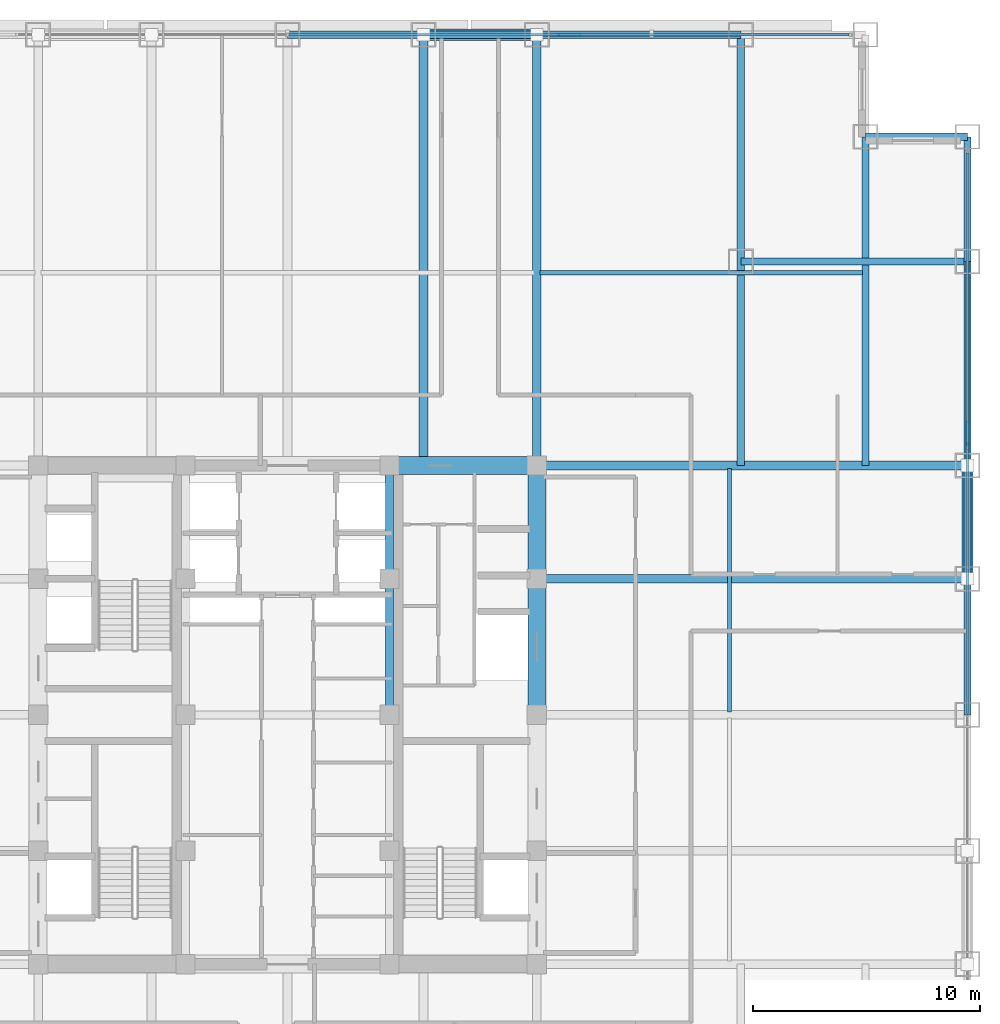
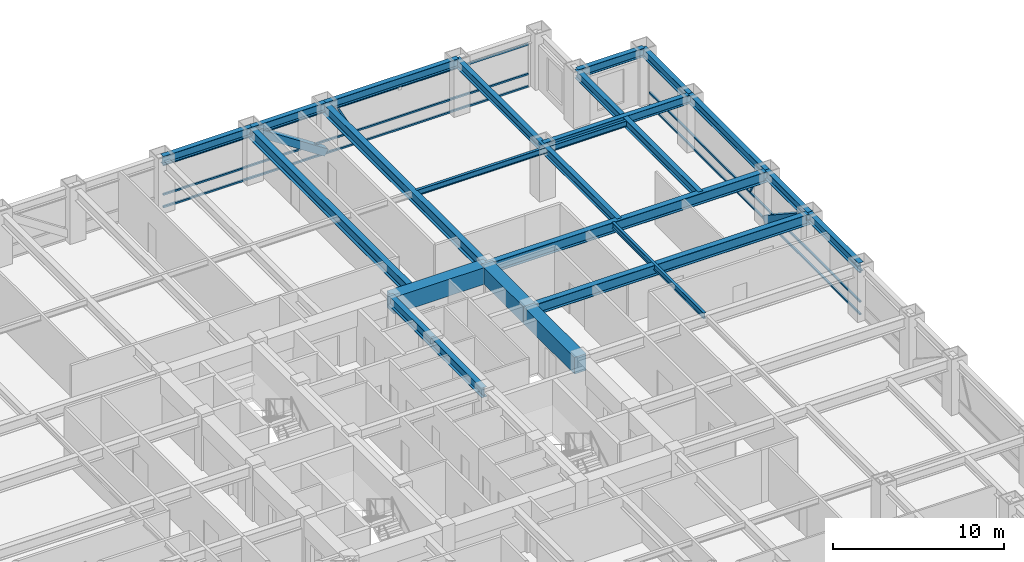
# One storey, part 17 of 28: 22 beams, 10 members, 2 elements without a shape of their own.
"""IFC4 building model written with IfcOpenShell, lengths in metres."""

from ifc_helpers import new_model, si_unit, direction, frame, origin, origin_2d, place, context, subcontext, project, spatial, rectangle, hollow_rectangle, i_section, extrude, source, transform, mapped, material, material_profile, profile_set, type_object, element, aggregate, save


model = new_model("IFC4")

# Units and contexts
model_context = context("Model", 3, precision=1e-05, world=origin(), true_north=direction((0.0, 1.0)))
body_context = subcontext(model_context, "Body", "Model", "MODEL_VIEW")
ifc_project = project(units=[si_unit("LENGTHUNIT", "METRE"), si_unit("AREAUNIT", "SQUARE_METRE"), si_unit("VOLUMEUNIT", "CUBIC_METRE"), si_unit("PLANEANGLEUNIT", "RADIAN"), si_unit("MASSUNIT", "GRAM", prefix="KILO")], contexts=[model_context])

# Site, building, storey
site_placement = place(None, origin())
site = spatial("IfcSite", under=ifc_project, at=site_placement, CompositionType="ELEMENT")
building_placement = place(site_placement, origin())
building = spatial("IfcBuilding", under=site, at=building_placement, Name="Khorayat Bourse Tower", CompositionType="ELEMENT")
storey_placement = place(building_placement, frame((0.0, 0.0, 187.10009765625)))
storey = spatial("IfcBuildingStorey", under=building, at=storey_placement, Name="L43", CompositionType="ELEMENT", Elevation=187.10009765625)

# Beams
ifc_material_1 = material(Name="Concrete C72/90", Category="concrete")
ifc_material_profile_1 = material_profile(ifc_material_1, rectangle(XDim=0.800048828125, YDim=1.199951171875, at=origin_2d()), Name="RC 800x1200")
ifc_profile_set_1 = profile_set([ifc_material_profile_1], Name="Concrete C72/90")
beam_type_1 = type_object("IfcBeamType", Name="BM-COUP-1200", PredefinedType="BEAM", material=ifc_profile_set_1)
shared_shape_1 = source(origin(), body_context, "Body", "SweptSolid", [
    extrude(rectangle(XDim=0.800048828125, YDim=1.199951171875, at=origin_2d()), origin(), (0.0, 0.0, 1.0), 5.0),
])
beam_1_placement = place(storey_placement, frame((11.0, 6.0, 3.179931640625), z_axis=(0.0, 1.0, 0.0), x_axis=(-1.0, 0.0, 0.0)))
element("IfcBeam", 1, at=beam_1_placement, inside=storey, type_object=beam_type_1, Name="L43 BM-COUP-1200 BM-L43-CRX-16", PredefinedType="BEAM", context=body_context, shape_type="MappedRepresentation", body=[
    mapped(shared_shape_1, transform((0.0, 0.0, 0.0), scale=1.0)),
])
shared_shape_2 = source(origin(), body_context, "Body", "SweptSolid", [
    extrude(rectangle(XDim=0.800048828125, YDim=1.199951171875, at=origin_2d()), origin(), (0.0, 0.0, 1.0), 6.0),
])
beam_2_placement = place(storey_placement, frame((11.0, 0.0, 3.179931640625), z_axis=(0.0, 1.0, 0.0), x_axis=(-1.0, 0.0, 0.0)))
element("IfcBeam", 2, at=beam_2_placement, inside=storey, type_object=beam_type_1, Name="L43 BM-COUP-1200 BM-L43-CRX-15", PredefinedType="BEAM", context=body_context, shape_type="MappedRepresentation", body=[
    mapped(shared_shape_2, transform((0.0, 0.0, 0.0), scale=1.0)),
])
ifc_material_2 = material(Name="Steel ASTM A992 Grade 50", Category="steel")
ifc_material_profile_2 = material_profile(ifc_material_2, i_section(OverallWidth=0.35498046875, OverallDepth=0.695068359375, WebThickness=0.015380859375, FlangeThickness=0.02490234375, FilletRadius=0.01806640625, at=origin_2d()), Name="W690X217")
ifc_profile_set_2 = profile_set([ifc_material_profile_2], Name="Steel ASTM A992 Grade 50")
beam_type_2 = type_object("IfcBeamType", Name="BM-GIRD-690", PredefinedType="BEAM", material=ifc_profile_set_2)
shared_shape_3 = source(origin(), body_context, "Body", "SweptSolid", [
    extrude(i_section(OverallWidth=0.35498046875, OverallDepth=0.695068359375, WebThickness=0.015380859375, FlangeThickness=0.02490234375, FilletRadius=0.01806640625, at=origin_2d()), origin(), (0.0, 0.0, 1.0), 5.0),
])
beam_3_placement = place(storey_placement, frame((4.5, 6.0, 3.432373046875), z_axis=(0.0, 1.0, 0.0), x_axis=(-1.0, 0.0, 0.0)))
element("IfcBeam", 3, at=beam_3_placement, inside=storey, type_object=beam_type_2, Name="L43 BM-GIRD-690 BM-L43-CRX-12", PredefinedType="BEAM", context=body_context, shape_type="MappedRepresentation", body=[
    mapped(shared_shape_3, transform((0.0, 0.0, 0.0), scale=1.0)),
])
shared_shape_4 = source(origin(), body_context, "Body", "SweptSolid", [
    extrude(i_section(OverallWidth=0.35498046875, OverallDepth=0.695068359375, WebThickness=0.015380859375, FlangeThickness=0.02490234375, FilletRadius=0.01806640625, at=origin_2d()), origin(), (0.0, 0.0, 1.0), 6.0),
])
beam_4_placement = place(storey_placement, frame((4.5, 0.0, 3.432373046875), z_axis=(0.0, 1.0, 0.0), x_axis=(-1.0, 0.0, 0.0)))
element("IfcBeam", 4, at=beam_4_placement, inside=storey, type_object=beam_type_2, Name="L43 BM-GIRD-690 BM-L43-CRX-11", PredefinedType="BEAM", context=body_context, shape_type="MappedRepresentation", body=[
    mapped(shared_shape_4, transform((0.0, 0.0, 0.0), scale=1.0)),
])
shared_shape_5 = source(origin(), body_context, "Body", "SweptSolid", [
    extrude(rectangle(XDim=0.800048828125, YDim=1.199951171875, at=origin_2d()), origin(), (0.0, 0.0, 1.0), 6.5),
])
beam_5_placement = place(storey_placement, frame((4.5, 11.0, 3.179931640625), z_axis=(1.0, 0.0, 0.0), x_axis=(0.0, 1.0, 0.0)))
element("IfcBeam", 5, at=beam_5_placement, inside=storey, type_object=beam_type_1, Name="L43 BM-COUP-1200 BM-L43-CRY-22", PredefinedType="BEAM", context=body_context, shape_type="MappedRepresentation", body=[
    mapped(shared_shape_5, transform((0.0, 0.0, 0.0), scale=1.0)),
])
ifc_material_profile_3 = material_profile(ifc_material_2, i_section(OverallWidth=0.381103515625, OverallDepth=0.77294921875, WebThickness=0.0166015625, FlangeThickness=0.027587890625, FilletRadius=0.01806640625, at=origin_2d()), Name="W760X257")
ifc_profile_set_3 = profile_set([ifc_material_profile_3], Name="Steel ASTM A992 Grade 50")
beam_type_3 = type_object("IfcBeamType", Name="BM-GIRD-760", PredefinedType="BEAM", material=ifc_profile_set_3)
shared_shape_6 = source(origin(), body_context, "Body", "SweptSolid", [
    extrude(i_section(OverallWidth=0.381103515625, OverallDepth=0.77294921875, WebThickness=0.0166015625, FlangeThickness=0.027587890625, FilletRadius=0.01806640625, at=origin_2d()), origin(), (0.0, 0.0, 1.0), 19.0),
])
for number, where, z_axis, x_axis, name in (
    (6, (6.0, 11.0, 3.393310546875), (0.0, 1.0, 0.0), (-1.0, 0.0, 0.0), "L43 BM-GIRD-760 BM-L43-RADY-070"),
    (7, (11.0, 11.0, 3.393310546875), (0.0, 1.0, 0.0), (-1.0, 0.0, 0.0), "L43 BM-GIRD-760 BM-L43-RADY-072"),
    (8, (11.0, 6.0, 3.393310546875), (1.0, 0.0, 0.0), (0.0, 1.0, 0.0), "L43 BM-GIRD-760 BM-L43-RADX-080"),
    (9, (11.0, 11.0, 3.393310546875), (1.0, 0.0, 0.0), (0.0, 1.0, 0.0), "L43 BM-GIRD-760 BM-L43-RADX-082"),
):
    element("IfcBeam", number, at=place(storey_placement, frame(where, z_axis=z_axis, x_axis=x_axis)), inside=storey, type_object=beam_type_3, Name=name, PredefinedType="BEAM", context=body_context, shape_type="MappedRepresentation", body=[
        mapped(shared_shape_6, transform((0.0, 0.0, 0.0), scale=1.0)),
    ])
ifc_material_profile_4 = material_profile(ifc_material_2, i_section(OverallWidth=0.324951171875, OverallDepth=0.615966796875, WebThickness=0.013916015625, FlangeThickness=0.021484375, FilletRadius=0.01611328125, at=origin_2d()), Name="W610X174")
ifc_profile_set_4 = profile_set([ifc_material_profile_4], Name="Steel ASTM A992 Grade 50")
beam_type_4 = type_object("IfcBeamType", Name="BM-GIRD-610", PredefinedType="BEAM", material=ifc_profile_set_4)
shared_shape_7 = source(origin(), body_context, "Body", "SweptSolid", [
    extrude(i_section(OverallWidth=0.324951171875, OverallDepth=0.615966796875, WebThickness=0.013916015625, FlangeThickness=0.021484375, FilletRadius=0.01611328125, at=origin_2d()), origin(), (0.0, 0.0, 1.0), 19.0),
])
beam_6_placement = place(storey_placement, frame((20.0, 11.0, 3.471923828125), z_axis=(0.0, 1.0, 0.0), x_axis=(-1.0, 0.0, 0.0)))
element("IfcBeam", 10, at=beam_6_placement, inside=storey, type_object=beam_type_4, Name="L43 BM-GIRD-610 BM-L43-CNRY-087", PredefinedType="BEAM", context=body_context, shape_type="MappedRepresentation", body=[
    mapped(shared_shape_7, transform((0.0, 0.0, 0.0), scale=1.0)),
])
shared_shape_8 = source(origin(), body_context, "Body", "SweptSolid", [
    extrude(i_section(OverallWidth=0.324951171875, OverallDepth=0.615966796875, WebThickness=0.013916015625, FlangeThickness=0.021484375, FilletRadius=0.01611328125, at=origin_2d()), origin(), (0.0, 0.0, 1.0), 14.5),
])
beam_7_placement = place(storey_placement, frame((25.5, 11.0, 3.471923828125), z_axis=(0.0, 1.0, 0.0), x_axis=(-1.0, 0.0, 0.0)))
element("IfcBeam", 11, at=beam_7_placement, inside=storey, type_object=beam_type_4, Name="L43 BM-GIRD-610 BM-L43-CNRY-091", PredefinedType="BEAM", context=body_context, shape_type="MappedRepresentation", body=[
    mapped(shared_shape_8, transform((0.0, 0.0, 0.0), scale=1.0)),
])
shared_shape_9 = source(origin(), body_context, "Body", "SweptSolid", [
    extrude(i_section(OverallWidth=0.324951171875, OverallDepth=0.615966796875, WebThickness=0.013916015625, FlangeThickness=0.021484375, FilletRadius=0.01611328125, at=origin_2d()), origin(), (0.0, 0.0, 1.0), 10.0),
])
beam_8_placement = place(storey_placement, frame((20.0, 20.0, 3.471923828125), z_axis=(1.0, 0.0, 0.0), x_axis=(0.0, 1.0, 0.0)))
element("IfcBeam", 12, at=beam_8_placement, inside=storey, type_object=beam_type_4, Name="L43 BM-GIRD-610 BM-L43-CNRX-094", PredefinedType="BEAM", context=body_context, shape_type="MappedRepresentation", body=[
    mapped(shared_shape_9, transform((0.0, 0.0, 0.0), scale=1.0)),
])
ifc_material_profile_5 = material_profile(ifc_material_2, i_section(OverallWidth=0.180908203125, OverallDepth=0.4169921875, WebThickness=0.010986328125, FlangeThickness=0.018310546875, FilletRadius=0.011962890625, at=origin_2d()), Name="W410X85")
ifc_profile_set_5 = profile_set([ifc_material_profile_5], Name="Steel ASTM A992 Grade 50")
beam_type_5 = type_object("IfcBeamType", Name="BM-JOIST-410", PredefinedType="JOIST", material=ifc_profile_set_5)
shared_shape_10 = source(origin(), body_context, "Body", "SweptSolid", [
    extrude(i_section(OverallWidth=0.180908203125, OverallDepth=0.4169921875, WebThickness=0.010986328125, FlangeThickness=0.018310546875, FilletRadius=0.011962890625, at=origin_2d()), origin(), (0.0, 0.0, 1.0), 14.240234375),
])
beam_9_placement = place(storey_placement, frame((11.1298828125, 19.5, 3.5712890625), z_axis=(1.0, 0.0, 0.0), x_axis=(0.0, 1.0, 0.0)))
element("IfcBeam", 13, at=beam_9_placement, inside=storey, type_object=beam_type_5, Name="L43 BM-JOIST-410 BM-L43-JSTX-101", PredefinedType="JOIST", context=body_context, shape_type="MappedRepresentation", body=[
    mapped(shared_shape_10, transform((0.0, 0.0, 0.0), scale=1.0)),
])
shared_shape_11 = source(origin(), body_context, "Body", "SweptSolid", [
    extrude(i_section(OverallWidth=0.180908203125, OverallDepth=0.4169921875, WebThickness=0.010986328125, FlangeThickness=0.018310546875, FilletRadius=0.011962890625, at=origin_2d()), origin(), (0.0, 0.0, 1.0), 10.740234375),
])
beam_10_placement = place(storey_placement, frame((19.5, 0.1298828125, 3.5712890625), z_axis=(0.0, 1.0, 0.0), x_axis=(-1.0, 0.0, 0.0)))
element("IfcBeam", 14, at=beam_10_placement, inside=storey, type_object=beam_type_5, Name="L43 BM-JOIST-410 BM-L43-JSTY-105", PredefinedType="JOIST", context=body_context, shape_type="MappedRepresentation", body=[
    mapped(shared_shape_11, transform((0.0, 0.0, 0.0), scale=1.0)),
])
ifc_material_profile_6 = material_profile(ifc_material_2, i_section(OverallWidth=0.324951171875, OverallDepth=0.615966796875, WebThickness=0.013916015625, FlangeThickness=0.021484375, FilletRadius=0.01611328125, at=origin_2d()), Name="W610X174")
ifc_profile_set_6 = profile_set([ifc_material_profile_6], Name="Steel ASTM A992 Grade 50")
beam_type_6 = type_object("IfcBeamType", Name="BM-SPAN-610", PredefinedType="SPANDREL", material=ifc_profile_set_6)
shared_shape_12 = source(origin(), body_context, "Body", "SweptSolid", [
    extrude(i_section(OverallWidth=0.324951171875, OverallDepth=0.615966796875, WebThickness=0.013916015625, FlangeThickness=0.021484375, FilletRadius=0.01611328125, at=origin_2d()), origin(), (0.0, 0.0, 1.0), 5.5),
])
beam_11_placement = place(storey_placement, frame((30.0, 20.0, 3.471923828125), z_axis=(0.0, 1.0, 0.0), x_axis=(-1.0, 0.0, 0.0)))
element("IfcBeam", 15, at=beam_11_placement, inside=storey, type_object=beam_type_6, Name="L43 BM-SPAN-610 BM-L43-SPN-041", PredefinedType="SPANDREL", context=body_context, shape_type="MappedRepresentation", body=[
    mapped(shared_shape_12, transform((0.0, 0.0, 0.0), scale=1.0)),
])
shared_shape_13 = source(origin(), body_context, "Body", "SweptSolid", [
    extrude(i_section(OverallWidth=0.324951171875, OverallDepth=0.615966796875, WebThickness=0.013916015625, FlangeThickness=0.021484375, FilletRadius=0.01611328125, at=origin_2d()), origin(), (0.0, 0.0, 1.0), 9.0),
])
for number, where, z_axis, x_axis, name in (
    (16, (30.0, 11.0, 3.471923828125), (0.0, 1.0, 0.0), (-1.0, 0.0, 0.0), "L43 BM-SPAN-610 BM-L43-SPN-040"),
    (17, (11.0, 30.0, 3.471923828125), (1.0, 0.0, 0.0), (0.0, 1.0, 0.0), "L43 BM-SPAN-610 BM-L43-SPN-045"),
):
    element("IfcBeam", number, at=place(storey_placement, frame(where, z_axis=z_axis, x_axis=x_axis)), inside=storey, type_object=beam_type_6, Name=name, PredefinedType="SPANDREL", context=body_context, shape_type="MappedRepresentation", body=[
        mapped(shared_shape_13, transform((0.0, 0.0, 0.0), scale=1.0)),
    ])
shared_shape_14 = source(origin(), body_context, "Body", "SweptSolid", [
    extrude(i_section(OverallWidth=0.324951171875, OverallDepth=0.615966796875, WebThickness=0.013916015625, FlangeThickness=0.021484375, FilletRadius=0.01611328125, at=origin_2d()), origin(), (0.0, 0.0, 1.0), 5.0),
])
for number, where, z_axis, x_axis, name in (
    (18, (30.0, 6.0, 3.471923828125), (0.0, 1.0, 0.0), (-1.0, 0.0, 0.0), "L43 BM-SPAN-610 BM-L43-SPN-039"),
    (19, (6.0, 30.0, 3.471923828125), (1.0, 0.0, 0.0), (0.0, 1.0, 0.0), "L43 BM-SPAN-610 BM-L43-SPN-046"),
):
    element("IfcBeam", number, at=place(storey_placement, frame(where, z_axis=z_axis, x_axis=x_axis)), inside=storey, type_object=beam_type_6, Name=name, PredefinedType="SPANDREL", context=body_context, shape_type="MappedRepresentation", body=[
        mapped(shared_shape_14, transform((0.0, 0.0, 0.0), scale=1.0)),
    ])
shared_shape_15 = source(origin(), body_context, "Body", "SweptSolid", [
    extrude(i_section(OverallWidth=0.324951171875, OverallDepth=0.615966796875, WebThickness=0.013916015625, FlangeThickness=0.021484375, FilletRadius=0.01611328125, at=origin_2d()), origin(), (0.0, 0.0, 1.0), 6.0),
])
for number, where, z_axis, x_axis, name in (
    (20, (30.0, 0.0, 3.471923828125), (0.0, 1.0, 0.0), (-1.0, 0.0, 0.0), "L43 BM-SPAN-610 BM-L43-SPN-038"),
    (21, (0.0, 30.0, 3.471923828125), (1.0, 0.0, 0.0), (0.0, 1.0, 0.0), "L43 BM-SPAN-610 BM-L43-SPN-047"),
):
    element("IfcBeam", number, at=place(storey_placement, frame(where, z_axis=z_axis, x_axis=x_axis)), inside=storey, type_object=beam_type_6, Name=name, PredefinedType="SPANDREL", context=body_context, shape_type="MappedRepresentation", body=[
        mapped(shared_shape_15, transform((0.0, 0.0, 0.0), scale=1.0)),
    ])
shared_shape_16 = source(origin(), body_context, "Body", "SweptSolid", [
    extrude(i_section(OverallWidth=0.324951171875, OverallDepth=0.615966796875, WebThickness=0.013916015625, FlangeThickness=0.021484375, FilletRadius=0.01611328125, at=origin_2d()), origin(), (0.0, 0.0, 1.0), 4.5),
])
beam_12_placement = place(storey_placement, frame((25.5, 25.5, 3.471923828125), z_axis=(1.0, 0.0, 0.0), x_axis=(0.0, 1.0, 0.0)))
element("IfcBeam", 22, at=beam_12_placement, inside=storey, type_object=beam_type_6, Name="L43 BM-SPAN-610 BM-L43-SPN-042", PredefinedType="SPANDREL", context=body_context, shape_type="MappedRepresentation", body=[
    mapped(shared_shape_16, transform((0.0, 0.0, 0.0), scale=1.0)),
])

# Members
ifc_material_3 = material(Name="Steel EN 10025-4 S460M", Category="steel")
ifc_material_profile_7 = material_profile(ifc_material_3, hollow_rectangle(XDim=0.5, YDim=0.5, WallThickness=0.028076171875, at=origin_2d()), Name="HSS 500x500x28")
ifc_profile_set_7 = profile_set([ifc_material_profile_7], Name="Steel EN 10025-4 S460M")
member_type_1 = type_object("IfcMemberType", Name="MBR-TUBE-500", PredefinedType="BRACE", material=ifc_profile_set_7)
shared_shape_17 = source(origin(), body_context, "Body", "SweptSolid", [
    extrude(hollow_rectangle(XDim=0.5, YDim=0.5, WallThickness=0.028076171875, at=origin_2d()), origin(), (0.0, 0.0, 1.0), 5.979736328125),
])
for number, where, z_axis, x_axis, name in (
    (23, (6.0, 30.0, 3.52978515625), (0.836160261256, 0.0, -0.548485202623), (0.0, 1.0, 0.0), "L43 Perimeter Tube Brace 04"),
    (24, (30.0, 6.0, 3.52978515625), (0.0, 0.836160261256, -0.548485202623), (-1.0, 0.0, 0.0), "L43 Perimeter Tube Brace 08"),
):
    element("IfcMember", number, at=place(storey_placement, frame(where, z_axis=z_axis, x_axis=x_axis)), inside=storey, type_object=member_type_1, Name=name, PredefinedType="BRACE", context=body_context, shape_type="MappedRepresentation", body=[
        mapped(shared_shape_17, transform((0.0, 0.0, 0.0), scale=1.0)),
    ])

# Curtain wall, member
ifc_material_4 = material(Name="Aluminium EN AW-6063 T6", Category="aluminium")
curtain_wall_type = type_object("IfcCurtainWallType", Name="CW-SYS-03", PredefinedType="NOTDEFINED", material=ifc_material_4)
curtain_wall_1_placement = place(storey_placement, origin())
curtain_wall_1 = element("IfcCurtainWall", 25, at=curtain_wall_1_placement, inside=storey, type_object=curtain_wall_type, Name="L43 Curtain Wall CW-L43-N1", PredefinedType="NOTDEFINED")
ifc_material_profile_8 = material_profile(ifc_material_4, hollow_rectangle(XDim=0.1201171875, YDim=0.1201171875, WallThickness=0.0048828125, at=origin_2d()), Name="ALU 120x120x5")
ifc_profile_set_8 = profile_set([ifc_material_profile_8], Name="Aluminium EN AW-6063 T6")
member_type_2 = type_object("IfcMemberType", Name="CWM-DIAG-120", PredefinedType="MULLION", material=ifc_profile_set_8)
shared_shape_18 = source(origin(), body_context, "Body", "SweptSolid", [
    extrude(hollow_rectangle(XDim=0.1201171875, YDim=0.1201171875, WallThickness=0.0048828125, at=origin_2d()), origin(), (0.0, 0.0, 1.0), 2.079345703125),
])
member_1_placement = place(storey_placement, frame((12.904296875, 30.0, 1.08984375), z_axis=(-0.465760949701, 0.0, 0.884910581773), x_axis=(0.0, -1.0, 0.0)))
member_1 = element("IfcMember", 26, at=member_1_placement, type_object=member_type_2, Name="CW-L43-N1 Faceted Diagonal Mullion 2", PredefinedType="MULLION", context=body_context, shape_type="MappedRepresentation", body=[
    mapped(shared_shape_18, transform((0.0, 0.0, 0.0), scale=1.0)),
])

curtain_wall_2_placement = place(storey_placement, origin())
curtain_wall_2 = element("IfcCurtainWall", 27, at=curtain_wall_2_placement, inside=storey, type_object=curtain_wall_type, Name="L43 Curtain Wall CW-L43-E1", PredefinedType="NOTDEFINED")
member_2_placement = place(storey_placement, frame((30.0, 12.904296875, 1.08984375), z_axis=(0.0, -0.465760949701, 0.884910581773), x_axis=(1.0, 0.0, 0.0)))
member_2 = element("IfcMember", 28, at=member_2_placement, type_object=member_type_2, Name="CW-L43-E1 Faceted Diagonal Mullion 2", PredefinedType="MULLION", context=body_context, shape_type="MappedRepresentation", body=[
    mapped(shared_shape_18, transform((0.0, 0.0, 0.0), scale=1.0)),
])

# Member
ifc_material_profile_9 = material_profile(ifc_material_4, hollow_rectangle(XDim=0.1201171875, YDim=0.1201171875, WallThickness=0.0048828125, at=origin_2d()), Name="ALU 120x120x5")
ifc_profile_set_9 = profile_set([ifc_material_profile_9], Name="Aluminium EN AW-6063 T6")
member_type_3 = type_object("IfcMemberType", Name="CWT-HORZ-120", PredefinedType="USERDEFINED", material=ifc_profile_set_9)
shared_shape_19 = source(origin(), body_context, "Body", "SweptSolid", [
    extrude(hollow_rectangle(XDim=0.1201171875, YDim=0.1201171875, WallThickness=0.0048828125, at=origin_2d()), origin(), (0.0, 0.0, 1.0), 24.719970703125),
])
member_3_placement = place(storey_placement, frame((0.06005859375, 30.0, 0.059814453125), z_axis=(1.0, 0.0, 0.0), x_axis=(0.0, 1.0, 0.0)))
member_3 = element("IfcMember", 29, at=member_3_placement, type_object=member_type_3, Name="CW-L43-N1 Horizontal Transom 2-1", ObjectType="TRANSOM", PredefinedType="USERDEFINED", context=body_context, shape_type="MappedRepresentation", body=[
    mapped(shared_shape_19, transform((0.0, 0.0, 0.0), scale=1.0)),
])

member_4_placement = place(storey_placement, frame((0.06005859375, 30.0, 0.949951171875), z_axis=(1.0, 0.0, 0.0), x_axis=(0.0, 1.0, 0.0)))
member_4 = element("IfcMember", 30, at=member_4_placement, type_object=member_type_3, Name="CW-L43-N1 Horizontal Transom 2-2", ObjectType="TRANSOM", PredefinedType="USERDEFINED", context=body_context, shape_type="MappedRepresentation", body=[
    mapped(shared_shape_19, transform((0.0, 0.0, 0.0), scale=1.0)),
])

member_5_placement = place(storey_placement, frame((0.06005859375, 30.0, 3.06982421875), z_axis=(1.0, 0.0, 0.0), x_axis=(0.0, 1.0, 0.0)))
member_5 = element("IfcMember", 31, at=member_5_placement, type_object=member_type_3, Name="CW-L43-N1 Horizontal Transom 2-3", ObjectType="TRANSOM", PredefinedType="USERDEFINED", context=body_context, shape_type="MappedRepresentation", body=[
    mapped(shared_shape_19, transform((0.0, 0.0, 0.0), scale=1.0)),
])

aggregate(curtain_wall_1, [member_3, member_4, member_5, member_1])

member_6_placement = place(storey_placement, frame((30.0, 0.06005859375, 0.059814453125), z_axis=(0.0, 1.0, 0.0), x_axis=(-1.0, 0.0, 0.0)))
member_6 = element("IfcMember", 32, at=member_6_placement, type_object=member_type_3, Name="CW-L43-E1 Horizontal Transom 2-1", ObjectType="TRANSOM", PredefinedType="USERDEFINED", context=body_context, shape_type="MappedRepresentation", body=[
    mapped(shared_shape_19, transform((0.0, 0.0, 0.0), scale=1.0)),
])

member_7_placement = place(storey_placement, frame((30.0, 0.06005859375, 0.949951171875), z_axis=(0.0, 1.0, 0.0), x_axis=(-1.0, 0.0, 0.0)))
member_7 = element("IfcMember", 33, at=member_7_placement, type_object=member_type_3, Name="CW-L43-E1 Horizontal Transom 2-2", ObjectType="TRANSOM", PredefinedType="USERDEFINED", context=body_context, shape_type="MappedRepresentation", body=[
    mapped(shared_shape_19, transform((0.0, 0.0, 0.0), scale=1.0)),
])

member_8_placement = place(storey_placement, frame((30.0, 0.06005859375, 3.06982421875), z_axis=(0.0, 1.0, 0.0), x_axis=(-1.0, 0.0, 0.0)))
member_8 = element("IfcMember", 34, at=member_8_placement, type_object=member_type_3, Name="CW-L43-E1 Horizontal Transom 2-3", ObjectType="TRANSOM", PredefinedType="USERDEFINED", context=body_context, shape_type="MappedRepresentation", body=[
    mapped(shared_shape_19, transform((0.0, 0.0, 0.0), scale=1.0)),
])

aggregate(curtain_wall_2, [member_6, member_7, member_8, member_2])

save(model, "model.ifc")
